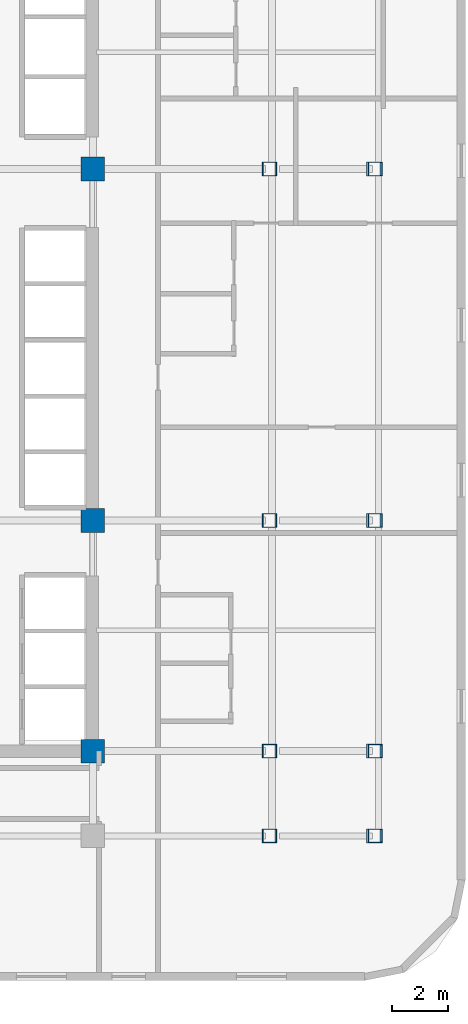
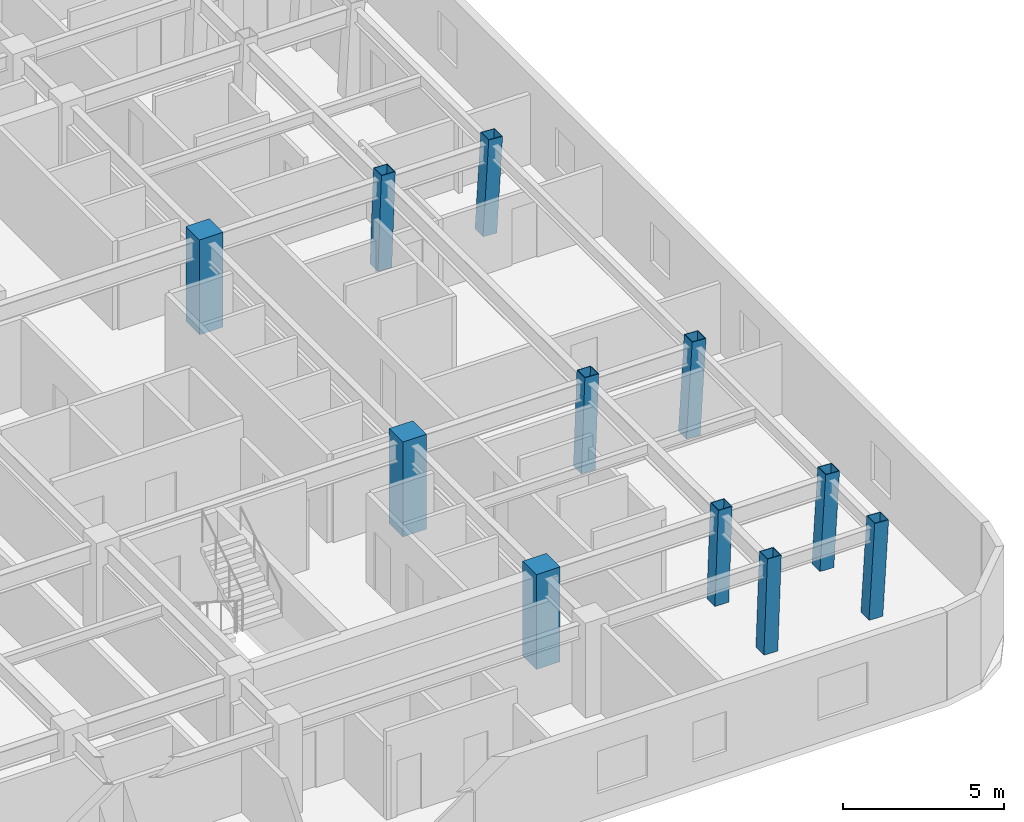
# One storey, part 2 of 12: 11 columns.
"""IFC4 building model written with IfcOpenShell, lengths in metres."""

from ifc_helpers import new_model, si_unit, direction, frame, origin, origin_2d, place, context, subcontext, project, spatial, rectangle, hollow_rectangle, extrude, material, material_profile, profile_set, type_object, element, save


model = new_model("IFC4")

# Units and contexts
model_context = context("Model", 3, precision=1e-05, world=origin(), true_north=direction((0.0, 1.0)))
body_context = subcontext(model_context, "Body", "Model", "MODEL_VIEW")
ifc_project = project(units=[si_unit("LENGTHUNIT", "METRE"), si_unit("AREAUNIT", "SQUARE_METRE"), si_unit("VOLUMEUNIT", "CUBIC_METRE"), si_unit("PLANEANGLEUNIT", "RADIAN"), si_unit("MASSUNIT", "GRAM", prefix="KILO")], contexts=[model_context])

# Site, building, storey
site_placement = place(None, origin())
site = spatial("IfcSite", under=ifc_project, at=site_placement, CompositionType="ELEMENT")
building_placement = place(site_placement, origin())
building = spatial("IfcBuilding", under=site, at=building_placement, Name="Ochreholt Gables", CompositionType="ELEMENT")
storey_placement = place(building_placement, frame((0.0, 0.0, 45.60009765625)))
storey = spatial("IfcBuildingStorey", under=building, at=storey_placement, Name="L11", CompositionType="ELEMENT", Elevation=45.60009765625)

# Columns
ifc_material_1 = material(Name="Steel CSA G40.21 350W", Category="steel")
ifc_material_profile_1 = material_profile(ifc_material_1, hollow_rectangle(XDim=0.5, YDim=0.5, WallThickness=0.02197265625, at=origin_2d()), Name="HSS500X500X22")
ifc_profile_set_1 = profile_set([ifc_material_profile_1], Name="Steel CSA G40.21 350W")
column_type_1 = type_object("IfcColumnType", Name="COL-HSS500-RAK", PredefinedType="COLUMN", material=ifc_profile_set_1)
for number, where, z_axis, x_axis, name in (
    (1, (41.531982421875, 9.25, 0.0), (0.034973505036, 0.0, 0.999388239847), (0.0, 1.0, 0.0), "L11 Column EMY2"),
    (2, (41.531982421875, 17.550048828125, 0.0), (0.034973505036, 0.0, 0.999388239847), (0.0, 1.0, 0.0), "L11 Column EMY3"),
    (3, (41.531982421875, 30.199951171875, 0.0), (0.034973505036, 0.0, 0.999388239847), (0.0, 1.0, 0.0), "L11 Column EMY4"),
):
    element("IfcColumn", number, at=place(storey_placement, frame(where, z_axis=z_axis, x_axis=x_axis)), inside=storey, type_object=column_type_1, Name=name, PredefinedType="COLUMN", context=body_context, shape_type="SweptSolid", body=[
        extrude(hollow_rectangle(XDim=0.5, YDim=0.5, WallThickness=0.02197265625, at=origin_2d()), origin(), (0.0, 0.0, 1.0), 3.60205078125),
    ])
ifc_material_profile_2 = material_profile(ifc_material_1, hollow_rectangle(XDim=0.5, YDim=0.5, WallThickness=0.02197265625, at=origin_2d()), Name="HSS500X500X22")
ifc_profile_set_2 = profile_set([ifc_material_profile_2], Name="Steel CSA G40.21 350W")
column_type_2 = type_object("IfcColumnType", Name="COL-HSS500-RAKE", PredefinedType="COLUMN", material=ifc_profile_set_2)
column_placement = place(storey_placement, frame((41.531982421875, 6.199951171875, 0.0), z_axis=(0.034973505036, 0.0, 0.999388239847), x_axis=(0.0, 1.0, 0.0)))
element("IfcColumn", 4, at=column_placement, inside=storey, type_object=column_type_2, Name="L11 Column EMY1", PredefinedType="COLUMN", context=body_context, shape_type="SweptSolid", body=[
    extrude(hollow_rectangle(XDim=0.5, YDim=0.5, WallThickness=0.02197265625, at=origin_2d()), origin(), (0.0, 0.0, 1.0), 3.60205078125),
])
for number, where, z_axis, x_axis, name in (
    (5, (45.301513671875, 6.199951171875, 0.0), (0.057955997462, 0.0, 0.998319138531), (0.0, 1.0, 0.0), "L11 Column EEY1"),
    (6, (45.301513671875, 9.25, 0.0), (0.057955997462, 0.0, 0.998319138531), (0.0, 1.0, 0.0), "L11 Column EEY2"),
    (7, (45.301513671875, 17.550048828125, 0.0), (0.057955997462, 0.0, 0.998319138531), (0.0, 1.0, 0.0), "L11 Column EEY3"),
    (8, (45.301513671875, 30.199951171875, 0.0), (0.057955997462, 0.0, 0.998319138531), (0.0, 1.0, 0.0), "L11 Column EEY4"),
):
    element("IfcColumn", number, at=place(storey_placement, frame(where, z_axis=z_axis, x_axis=x_axis)), inside=storey, type_object=column_type_2, Name=name, PredefinedType="COLUMN", context=body_context, shape_type="SweptSolid", body=[
        extrude(hollow_rectangle(XDim=0.5, YDim=0.5, WallThickness=0.02197265625, at=origin_2d()), origin(), (0.0, 0.0, 1.0), 3.60595703125),
    ])
ifc_material_2 = material(Name="Concrete 60 MPa", Category="concrete")
ifc_material_profile_3 = material_profile(ifc_material_2, rectangle(XDim=0.85009765625, YDim=0.85009765625, at=origin_2d()), Name="RC850X850")
ifc_profile_set_3 = profile_set([ifc_material_profile_3], Name="Concrete 60 MPa")
column_type_3 = type_object("IfcColumnType", Name="COL-RC850-INT", PredefinedType="COLUMN", material=ifc_profile_set_3)
for number, where, z_axis, x_axis, name in (
    (9, (35.199951171875, 9.25, 0.0), (0.0, 0.0, 1.0), (1.0, 0.0, 0.0), "L11 Column C2Y2"),
    (10, (35.199951171875, 17.550048828125, 0.0), (0.0, 0.0, 1.0), (1.0, 0.0, 0.0), "L11 Column C2Y3"),
    (11, (35.199951171875, 30.199951171875, 0.0), (0.0, 0.0, 1.0), (1.0, 0.0, 0.0), "L11 Column C2Y4"),
):
    element("IfcColumn", number, at=place(storey_placement, frame(where, z_axis=z_axis, x_axis=x_axis)), inside=storey, type_object=column_type_3, Name=name, PredefinedType="COLUMN", context=body_context, shape_type="SweptSolid", body=[
        extrude(rectangle(XDim=0.85009765625, YDim=0.85009765625, at=origin_2d()), origin(), (0.0, 0.0, 1.0), 3.599853515625),
    ])

save(model, "model.ifc")
